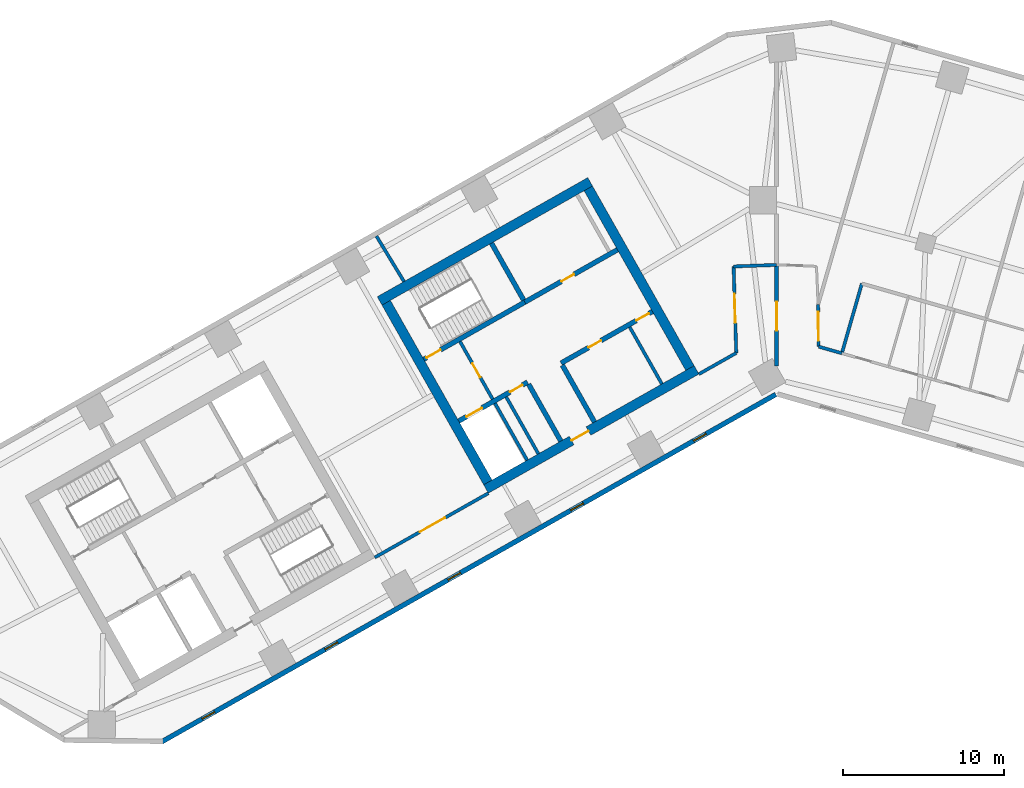
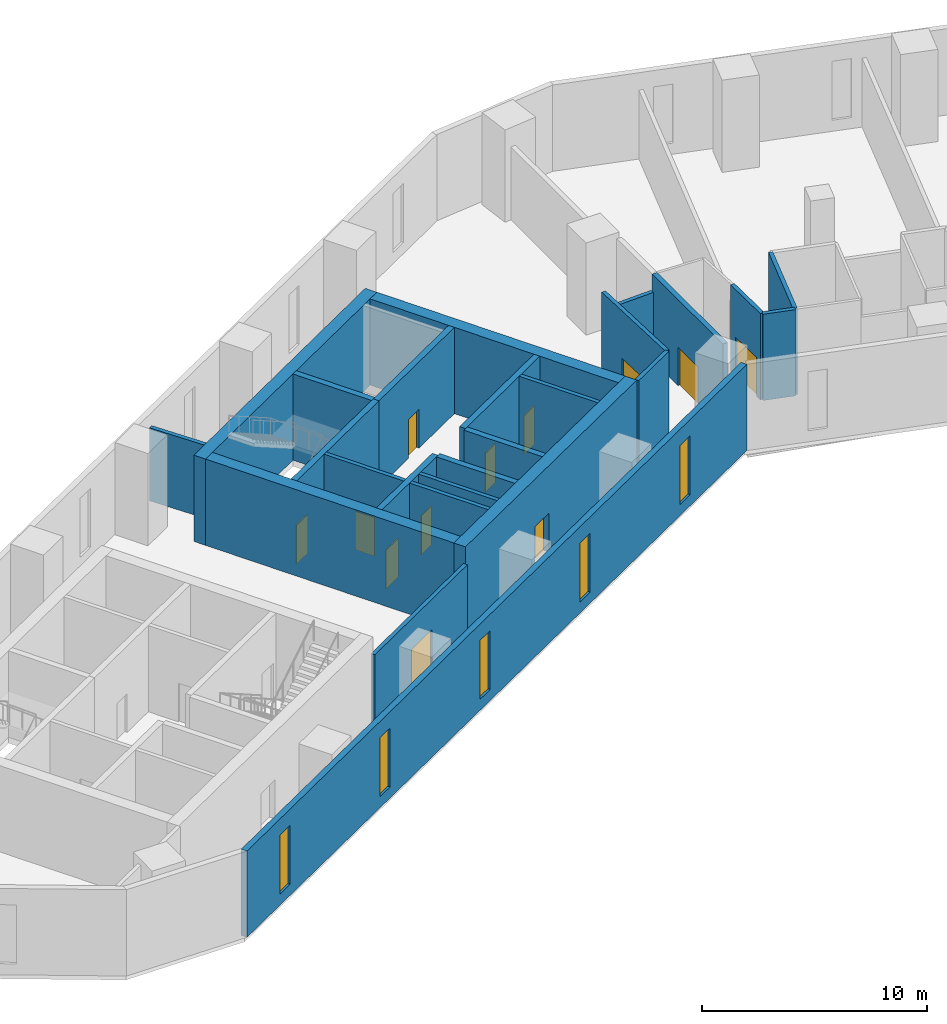
# One storey, part 4 of 10: 25 walls, 12 doors, 5 windows, 17 openings.
"""IFC4 building model written with IfcOpenShell, lengths in metres."""

from ifc_helpers import new_model, si_unit, direction, frame, frame_2d, origin, place, context, subcontext, project, spatial, rectangle, extrude, material, layer, layer_set, type_object, element, fill, save


model = new_model("IFC4")

# Units and contexts
model_context = context("Model", 3, precision=1e-05, world=origin(), true_north=direction((0.0, 1.0)))
body_context = subcontext(model_context, "Body", "Model", "MODEL_VIEW")
ifc_project = project(units=[si_unit("LENGTHUNIT", "METRE"), si_unit("AREAUNIT", "SQUARE_METRE"), si_unit("VOLUMEUNIT", "CUBIC_METRE"), si_unit("PLANEANGLEUNIT", "RADIAN"), si_unit("MASSUNIT", "GRAM", prefix="KILO")], contexts=[model_context])

# Site, building, storey
site_placement = place(None, origin())
site = spatial("IfcSite", under=ifc_project, at=site_placement, CompositionType="ELEMENT")
building_placement = place(site_placement, origin())
building = spatial("IfcBuilding", under=site, at=building_placement, Name="Binnacle Exchange Tower", CompositionType="ELEMENT")
storey_placement = place(building_placement, frame((0.0, 0.0, 71.5)))
storey = spatial("IfcBuildingStorey", under=building, at=storey_placement, Name="L14", CompositionType="ELEMENT", Elevation=71.5)

# Wall
ifc_material_1 = material(Name="Gypsum partition fire rated")
ifc_layer_1 = layer(ifc_material_1, 0.199951171875)
ifc_layer_set_1 = layer_set([ifc_layer_1], Name="Core partition 200")
wall_type_1 = type_object("IfcWallType", Name="Core partition 200", PredefinedType="PARTITIONING", material=ifc_layer_set_1)
wall_1_placement = place(storey_placement, frame((-9.11279296875, 52.14404296875, 0.0), z_axis=(0.0, 0.0, 1.0), x_axis=(0.492394910396, -0.870371904542, 0.0)))
element("IfcWall", 1, at=wall_1_placement, inside=storey, type_object=wall_type_1, Name="Core wall CRWC22", PredefinedType="PARTITIONING", context=body_context, shape_type="SweptSolid", body=[
    extrude(rectangle(XDim=4.0498046875, YDim=0.199951171875, at=frame_2d((2.02490234375, 0.0))), origin(), (0.0, 0.0, 1.0), 4.679931640625),
])

# Wall, openings, doors
ifc_material_2 = material(Name="Concrete C70/85", Category="concrete")
ifc_layer_2 = layer(ifc_material_2, 0.300048828125)
ifc_layer_set_2 = layer_set([ifc_layer_2], Name="Core wall - front 300")
wall_type_2 = type_object("IfcWallType", Name="Core wall - front 300", PredefinedType="SOLIDWALL", material=ifc_layer_set_2)
wall_2_placement = place(storey_placement, frame((-19.718017578125, 46.31640625, 0.0), z_axis=(0.0, 0.0, 1.0), x_axis=(0.870353963862, 0.492426621528, 0.0)))
wall_2 = element("IfcWall", 2, at=wall_2_placement, inside=storey, type_object=wall_type_2, Name="Core wall CRWC2", PredefinedType="SOLIDWALL", context=body_context, shape_type="SweptSolid", body=[
    extrude(rectangle(XDim=4.89990234375, YDim=0.300048828125, at=frame_2d((2.449951171875, 0.0))), origin(), (0.0, 0.0, 1.0), 4.679931640625),
])
opening_1_placement = place(wall_2_placement, frame((0.550048828125, 0.0, 0.0)))
opening_1 = element("IfcOpeningElement", 3, at=opening_1_placement, cuts=wall_2, Name="Opening LD14", PredefinedType="OPENING", context=body_context, shape_type="SweptSolid", body=[
    extrude(rectangle(XDim=1.10009765625, YDim=2.10009765625, at=frame_2d((0.550048828125, 1.050048828125))), frame((0.0, 0.159912109375, 0.0), z_axis=(0.0, -1.0, 0.0), x_axis=(1.0, 0.0, 0.0)), (0.0, 0.0, 1.0), 0.320068359375),
])
opening_2_placement = place(wall_2_placement, frame((3.64990234375, 0.0, 0.0)))
opening_2 = element("IfcOpeningElement", 4, at=opening_2_placement, cuts=wall_2, Name="Opening DC14", PredefinedType="OPENING", context=body_context, shape_type="SweptSolid", body=[
    extrude(rectangle(XDim=0.89990234375, YDim=2.10009765625, at=frame_2d((0.449951171875, 1.050048828125))), frame((0.0, 0.159912109375, 0.0), z_axis=(0.0, -1.0, 0.0), x_axis=(1.0, 0.0, 0.0)), (0.0, 0.0, 1.0), 0.320068359375),
])
ifc_material_3 = material(Name="Steel door leaf", Category="steel")
door_type_1 = type_object("IfcDoorType", Name="Fire door - lift landing 1100", OperationType="NOTDEFINED", PredefinedType="DOOR", material=ifc_material_3)
door_1_placement = place(opening_1_placement, origin())
door_1 = element("IfcDoor", 5, at=door_1_placement, inside=storey, type_object=door_type_1, Name="Landing door LD14 L14", OperationType="DOUBLE_DOOR_SLIDING", OverallHeight=2.10009765625, OverallWidth=1.10009765625, PredefinedType="DOOR", context=body_context, shape_type="SweptSolid", body=[
    extrude(rectangle(XDim=1.10009765625, YDim=2.10009765625, at=frame_2d((0.550048828125, 1.050048828125))), frame((0.0, 0.02490234375, 0.0), z_axis=(0.0, -1.0, 0.0), x_axis=(1.0, 0.0, 0.0)), (0.0, 0.0, 1.0), 0.050048828125),
])
fill(opening_1, door_1)
door_type_2 = type_object("IfcDoorType", Name="Fire door 900", OperationType="NOTDEFINED", PredefinedType="DOOR", material=ifc_material_3)
door_2_placement = place(opening_2_placement, frame((0.89990234375, 0.0, 0.0), z_axis=(0.0, 0.0, 1.0), x_axis=(-1.0, 0.0, 0.0)))
door_2 = element("IfcDoor", 6, at=door_2_placement, inside=storey, type_object=door_type_2, Name="Core room door COMMS RISER ROOM", OperationType="SINGLE_SWING_LEFT", OverallHeight=2.10009765625, OverallWidth=0.89990234375, PredefinedType="DOOR", context=body_context, shape_type="SweptSolid", body=[
    extrude(rectangle(XDim=0.89990234375, YDim=2.10009765625, at=frame_2d((0.449951171875, 1.050048828125))), frame((0.0, 0.02490234375, 0.0), z_axis=(0.0, -1.0, 0.0), x_axis=(1.0, 0.0, 0.0)), (0.0, 0.0, 1.0), 0.050048828125),
])
fill(opening_2, door_2)

wall_3_placement = place(storey_placement, frame((-13.364501953125, 49.910888671875, 0.0), z_axis=(0.0, 0.0, 1.0), x_axis=(0.870340995471, 0.49244954219, 0.0)))
wall_3 = element("IfcWall", 7, at=wall_3_placement, inside=storey, type_object=wall_type_2, Name="Core wall CRWC3", PredefinedType="SOLIDWALL", context=body_context, shape_type="SweptSolid", body=[
    extrude(rectangle(XDim=6.5, YDim=0.300048828125, at=frame_2d((3.25, 0.0))), origin(), (0.0, 0.0, 1.0), 4.679931640625),
])
opening_3_placement = place(wall_3_placement, frame((1.949951171875, 0.0, 0.0)))
opening_3 = element("IfcOpeningElement", 8, at=opening_3_placement, cuts=wall_3, Name="Opening DC18", PredefinedType="OPENING", context=body_context, shape_type="SweptSolid", body=[
    extrude(rectangle(XDim=0.89990234375, YDim=2.10009765625, at=frame_2d((0.449951171875, 1.050048828125))), frame((0.0, 0.159912109375, 0.0), z_axis=(0.0, -1.0, 0.0), x_axis=(1.0, 0.0, 0.0)), (0.0, 0.0, 1.0), 0.320068359375),
])
opening_4_placement = place(wall_3_placement, frame((5.35009765625, 0.0, 0.0)))
opening_4 = element("IfcOpeningElement", 9, at=opening_4_placement, cuts=wall_3, Name="Opening DC19", PredefinedType="OPENING", context=body_context, shape_type="SweptSolid", body=[
    extrude(rectangle(XDim=0.89990234375, YDim=2.10009765625, at=frame_2d((0.449951171875, 1.050048828125))), frame((0.0, 0.159912109375, 0.0), z_axis=(0.0, -1.0, 0.0), x_axis=(1.0, 0.0, 0.0)), (0.0, 0.0, 1.0), 0.320068359375),
])
door_3_placement = place(opening_3_placement, frame((0.89990234375, 0.0, 0.0), z_axis=(0.0, 0.0, 1.0), x_axis=(-1.0, 0.0, 0.0)))
door_3 = element("IfcDoor", 10, at=door_3_placement, inside=storey, type_object=door_type_2, Name="Core room door TELECOM RISER ROOM", OperationType="SINGLE_SWING_RIGHT", OverallHeight=2.10009765625, OverallWidth=0.89990234375, PredefinedType="DOOR", context=body_context, shape_type="SweptSolid", body=[
    extrude(rectangle(XDim=0.89990234375, YDim=2.10009765625, at=frame_2d((0.449951171875, 1.050048828125))), frame((0.0, 0.02490234375, 0.0), z_axis=(0.0, -1.0, 0.0), x_axis=(1.0, 0.0, 0.0)), (0.0, 0.0, 1.0), 0.050048828125),
])
fill(opening_3, door_3)
door_4_placement = place(opening_4_placement, frame((0.89990234375, 0.0, 0.0), z_axis=(0.0, 0.0, 1.0), x_axis=(-1.0, 0.0, 0.0)))
door_4 = element("IfcDoor", 11, at=door_4_placement, inside=storey, type_object=door_type_2, Name="Core room door IT STORE", OperationType="SINGLE_SWING_LEFT", OverallHeight=2.10009765625, OverallWidth=0.89990234375, PredefinedType="DOOR", context=body_context, shape_type="SweptSolid", body=[
    extrude(rectangle(XDim=0.89990234375, YDim=2.10009765625, at=frame_2d((0.449951171875, 1.050048828125))), frame((0.0, 0.02490234375, 0.0), z_axis=(0.0, -1.0, 0.0), x_axis=(1.0, 0.0, 0.0)), (0.0, 0.0, 1.0), 0.050048828125),
])
fill(opening_4, door_4)

# Wall, opening, door
wall_4_placement = place(storey_placement, frame((-15.6181640625, 53.69140625, 0.0), z_axis=(0.0, 0.0, 1.0), x_axis=(0.870356769198, 0.492421663121, 0.0)))
wall_4 = element("IfcWall", 12, at=wall_4_placement, inside=storey, type_object=wall_type_2, Name="Core wall CRWC5", PredefinedType="SOLIDWALL", context=body_context, shape_type="SweptSolid", body=[
    extrude(rectangle(XDim=6.60009765625, YDim=0.300048828125, at=frame_2d((3.300048828125, 0.0))), origin(), (0.0, 0.0, 1.0), 4.679931640625),
])
opening_5_placement = place(wall_4_placement, frame((2.60009765625, 0.0, 0.0)))
opening_5 = element("IfcOpeningElement", 13, at=opening_5_placement, cuts=wall_4, Name="Opening DC10", PredefinedType="OPENING", context=body_context, shape_type="SweptSolid", body=[
    extrude(rectangle(XDim=0.89990234375, YDim=2.10009765625, at=frame_2d((0.449951171875, 1.050048828125))), frame((0.0, 0.159912109375, 0.0), z_axis=(0.0, -1.0, 0.0), x_axis=(1.0, 0.0, 0.0)), (0.0, 0.0, 1.0), 0.320068359375),
])
door_5_placement = place(opening_5_placement, origin())
door_5 = element("IfcDoor", 14, at=door_5_placement, inside=storey, type_object=door_type_2, Name="Core room door WORKSHOP STORE", OperationType="SINGLE_SWING_LEFT", OverallHeight=2.10009765625, OverallWidth=0.89990234375, PredefinedType="DOOR", context=body_context, shape_type="SweptSolid", body=[
    extrude(rectangle(XDim=0.89990234375, YDim=2.10009765625, at=frame_2d((0.449951171875, 1.050048828125))), frame((0.0, 0.02490234375, 0.0), z_axis=(0.0, -1.0, 0.0), x_axis=(1.0, 0.0, 0.0)), (0.0, 0.0, 1.0), 0.050048828125),
])
fill(opening_5, door_5)

# Walls
for number, where, z_axis, x_axis, name in (
    (15, (-15.37939453125, 48.5986328125, 0.0), (0.0, 0.0, 1.0), (0.492394910396, -0.870371904542, 0.0), "Core wall CRWC13"),
    (16, (-13.29052734375, 49.780517578125, 0.0), (0.0, 0.0, 1.0), (0.492394910396, -0.870371904542, 0.0), "Core wall CRWC15"),
):
    element("IfcWall", number, at=place(storey_placement, frame(where, z_axis=z_axis, x_axis=x_axis)), inside=storey, type_object=wall_type_2, Name=name, PredefinedType="SOLIDWALL", context=body_context, shape_type="SweptSolid", body=[
        extrude(rectangle(XDim=4.0498046875, YDim=0.300048828125, at=frame_2d((2.02490234375, 0.0))), origin(), (0.0, 0.0, 1.0), 4.679931640625),
    ])

# Wall, opening, door
ifc_layer_3 = layer(ifc_material_2, 0.60009765625)
ifc_layer_set_3 = layer_set([ifc_layer_3], Name="Core wall - outer 600")
wall_type_3 = type_object("IfcWallType", Name="Core wall - outer 600", PredefinedType="SOLIDWALL", material=ifc_layer_set_3)
wall_5_placement = place(storey_placement, frame((-18.0244140625, 42.104248046875, 0.0), z_axis=(0.0, 0.0, 1.0), x_axis=(0.870360574057, 0.492414937962, 0.0)))
wall_5 = element("IfcWall", 17, at=wall_5_placement, inside=storey, type_object=wall_type_3, Name="Core wall CRWC1", PredefinedType="SOLIDWALL", context=body_context, shape_type="SweptSolid", body=[
    extrude(rectangle(XDim=15.0, YDim=0.60009765625, at=frame_2d((7.5, 0.0))), origin(), (0.0, 0.0, 1.0), 4.679931640625),
])
opening_6_placement = place(wall_5_placement, frame((6.10009765625, 0.0, 0.0)))
opening_6 = element("IfcOpeningElement", 18, at=opening_6_placement, cuts=wall_5, Name="Opening DC7", PredefinedType="OPENING", context=body_context, shape_type="SweptSolid", body=[
    extrude(rectangle(XDim=1.199951171875, YDim=2.10009765625, at=frame_2d((0.60009765625, 1.050048828125))), frame((0.0, 0.31005859375, 0.0), z_axis=(0.0, -1.0, 0.0), x_axis=(1.0, 0.0, 0.0)), (0.0, 0.0, 1.0), 0.6201171875),
])
door_type_3 = type_object("IfcDoorType", Name="Fire door 1200", OperationType="NOTDEFINED", PredefinedType="DOOR", material=ifc_material_3)
door_6_placement = place(opening_6_placement, frame((1.199951171875, 0.0, 0.0), z_axis=(0.0, 0.0, 1.0), x_axis=(-1.0, 0.0, 0.0)))
door_6 = element("IfcDoor", 19, at=door_6_placement, inside=storey, type_object=door_type_3, Name="Lift lobby entrance door core C", OperationType="SINGLE_SWING_RIGHT", OverallHeight=2.10009765625, OverallWidth=1.199951171875, PredefinedType="DOOR", context=body_context, shape_type="SweptSolid", body=[
    extrude(rectangle(XDim=1.199951171875, YDim=2.10009765625, at=frame_2d((0.60009765625, 1.050048828125))), frame((0.0, 0.02490234375, 0.0), z_axis=(0.0, -1.0, 0.0), x_axis=(1.0, 0.0, 0.0)), (0.0, 0.0, 1.0), 0.050048828125),
])
fill(opening_6, door_6)

# Walls
wall_6_placement = place(storey_placement, frame((-24.622802734375, 53.76708984375, 0.0), z_axis=(0.0, 0.0, 1.0), x_axis=(0.870356627484, 0.492421913601, 0.0)))
element("IfcWall", 20, at=wall_6_placement, inside=storey, type_object=wall_type_3, Name="Core wall CRWC6", PredefinedType="SOLIDWALL", context=body_context, shape_type="SweptSolid", body=[
    extrude(rectangle(XDim=14.999755859375, YDim=0.60009765625, at=frame_2d((7.5, 0.0))), origin(), (0.0, 0.0, 1.0), 4.679931640625),
])
wall_7_placement = place(storey_placement, frame((-24.214111328125, 53.653564453125, 0.0), z_axis=(0.0, 0.0, 1.0), x_axis=(0.492441221355, -0.870345703448, 0.0)))
element("IfcWall", 21, at=wall_7_placement, inside=storey, type_object=wall_type_3, Name="Core wall CRWC7", PredefinedType="SOLIDWALL", context=body_context, shape_type="SweptSolid", body=[
    extrude(rectangle(XDim=12.800048828125, YDim=0.60009765625, at=frame_2d((6.39990234375, 0.0))), origin(), (0.0, 0.0, 1.0), 4.679931640625),
])
wall_8_placement = place(storey_placement, frame((-11.680908203125, 60.744384765625, 0.0), z_axis=(0.0, 0.0, 1.0), x_axis=(0.492426772896, -0.870353878221, 0.0)))
element("IfcWall", 22, at=wall_8_placement, inside=storey, type_object=wall_type_3, Name="Core wall CRWC24", PredefinedType="SOLIDWALL", context=body_context, shape_type="SweptSolid", body=[
    extrude(rectangle(XDim=12.7998046875, YDim=0.60009765625, at=frame_2d((6.39990234375, 0.0))), origin(), (0.0, 0.0, 1.0), 4.679931640625),
])

# Wall, opening, door
ifc_layer_4 = layer(ifc_material_2, 0.300048828125)
ifc_layer_set_4 = layer_set([ifc_layer_4], Name="Core wall - stair 300")
wall_type_4 = type_object("IfcWallType", Name="Core wall - stair 300", PredefinedType="SOLIDWALL", material=ifc_layer_set_4)
wall_9_placement = place(storey_placement, frame((-21.884765625, 50.14599609375, 0.0), z_axis=(0.0, 0.0, 1.0), x_axis=(0.870359411463, 0.492416992881, 0.0)))
wall_9 = element("IfcWall", 23, at=wall_9_placement, inside=storey, type_object=wall_type_4, Name="Core wall CRWC4", PredefinedType="SOLIDWALL", context=body_context, shape_type="SweptSolid", body=[
    extrude(rectangle(XDim=7.199951171875, YDim=0.300048828125, at=frame_2d((3.60009765625, 0.0))), origin(), (0.0, 0.0, 1.0), 4.679931640625),
])
opening_7_placement = place(wall_9_placement, frame((0.199951171875, 0.0, 0.0)))
opening_7 = element("IfcOpeningElement", 24, at=opening_7_placement, cuts=wall_9, Name="Opening DC1", PredefinedType="OPENING", context=body_context, shape_type="SweptSolid", body=[
    extrude(rectangle(XDim=1.0, YDim=2.10009765625, at=frame_2d((0.5, 1.050048828125))), frame((0.0, 0.159912109375, 0.0), z_axis=(0.0, -1.0, 0.0), x_axis=(1.0, 0.0, 0.0)), (0.0, 0.0, 1.0), 0.320068359375),
])
door_type_4 = type_object("IfcDoorType", Name="Fire door 1000", OperationType="NOTDEFINED", PredefinedType="DOOR", material=ifc_material_3)
door_7_placement = place(opening_7_placement, origin())
door_7 = element("IfcDoor", 25, at=door_7_placement, inside=storey, type_object=door_type_4, Name="Stair door ST-C1", OperationType="SINGLE_SWING_LEFT", OverallHeight=2.10009765625, OverallWidth=1.0, PredefinedType="DOOR", context=body_context, shape_type="SweptSolid", body=[
    extrude(rectangle(XDim=1.0, YDim=2.10009765625, at=frame_2d((0.5, 1.050048828125))), frame((0.0, 0.02490234375, 0.0), z_axis=(0.0, -1.0, 0.0), x_axis=(1.0, 0.0, 0.0)), (0.0, 0.0, 1.0), 0.050048828125),
])
fill(opening_7, door_7)

# Wall
wall_10_placement = place(storey_placement, frame((-17.686279296875, 57.3466796875, 0.0), z_axis=(0.0, 0.0, 1.0), x_axis=(0.492420746998, -0.870357287513, 0.0)))
element("IfcWall", 26, at=wall_10_placement, inside=storey, type_object=wall_type_4, Name="Core wall CRWC14", PredefinedType="SOLIDWALL", context=body_context, shape_type="SweptSolid", body=[
    extrude(rectangle(XDim=4.049560546875, YDim=0.300048828125, at=frame_2d((2.02490234375, 0.0))), origin(), (0.0, 0.0, 1.0), 4.679931640625),
])

# Wall, openings, windows
ifc_material_4 = material(Name="Bronze aluminium cladding", Category="aluminium")
ifc_layer_5 = layer(ifc_material_4, 0.300048828125)
ifc_layer_set_5 = layer_set([ifc_layer_5], Name="External wall - spandrel 300")
wall_type_5 = type_object("IfcWallType", Name="External wall - spandrel 300", PredefinedType="STANDARD", material=ifc_layer_set_5)
wall_11_placement = place(storey_placement, frame((-0.0546875, 47.968994140625, 0.0), z_axis=(0.0, 0.0, 1.0), x_axis=(-0.870355730478, -0.492423499058, 0.0)))
wall_11 = element("IfcWall", 27, at=wall_11_placement, inside=storey, type_object=wall_type_5, Name="External wall EW-F07 L14", PredefinedType="STANDARD", context=body_context, shape_type="SweptSolid", body=[
    extrude(rectangle(XDim=43.750244140625, YDim=0.300048828125, at=frame_2d((21.875, 0.0))), origin(), (0.0, 0.0, 1.0), 4.679931640625),
])
opening_8_placement = place(wall_11_placement, frame((39.976806640625, 0.0, 0.60009765625)))
opening_8 = element("IfcOpeningElement", 28, at=opening_8_placement, cuts=wall_11, Name="Opening WS1", PredefinedType="OPENING", context=body_context, shape_type="SweptSolid", body=[
    extrude(rectangle(XDim=0.89990234375, YDim=3.199951171875, at=frame_2d((0.449951171875, 1.60009765625))), frame((0.0, 0.159912109375, 0.0), z_axis=(0.0, -1.0, 0.0), x_axis=(1.0, 0.0, 0.0)), (0.0, 0.0, 1.0), 0.320068359375),
])
opening_9_placement = place(wall_11_placement, frame((31.222412109375, 0.0, 0.60009765625)))
opening_9 = element("IfcOpeningElement", 29, at=opening_9_placement, cuts=wall_11, Name="Opening WS1", PredefinedType="OPENING", context=body_context, shape_type="SweptSolid", body=[
    extrude(rectangle(XDim=0.89990234375, YDim=3.199951171875, at=frame_2d((0.449951171875, 1.60009765625))), frame((0.0, 0.159912109375, 0.0), z_axis=(0.0, -1.0, 0.0), x_axis=(1.0, 0.0, 0.0)), (0.0, 0.0, 1.0), 0.320068359375),
])
opening_10_placement = place(wall_11_placement, frame((22.4677734375, 0.0, 0.60009765625)))
opening_10 = element("IfcOpeningElement", 30, at=opening_10_placement, cuts=wall_11, Name="Opening WS1", PredefinedType="OPENING", context=body_context, shape_type="SweptSolid", body=[
    extrude(rectangle(XDim=0.89990234375, YDim=3.199951171875, at=frame_2d((0.449951171875, 1.60009765625))), frame((0.0, 0.159912109375, 0.0), z_axis=(0.0, -1.0, 0.0), x_axis=(1.0, 0.0, 0.0)), (0.0, 0.0, 1.0), 0.320068359375),
])
opening_11_placement = place(wall_11_placement, frame((13.713134765625, 0.0, 0.60009765625)))
opening_11 = element("IfcOpeningElement", 31, at=opening_11_placement, cuts=wall_11, Name="Opening WS1", PredefinedType="OPENING", context=body_context, shape_type="SweptSolid", body=[
    extrude(rectangle(XDim=0.89990234375, YDim=3.199951171875, at=frame_2d((0.449951171875, 1.60009765625))), frame((0.0, 0.159912109375, 0.0), z_axis=(0.0, -1.0, 0.0), x_axis=(1.0, 0.0, 0.0)), (0.0, 0.0, 1.0), 0.320068359375),
])
opening_12_placement = place(wall_11_placement, frame((4.958740234375, 0.0, 0.60009765625)))
opening_12 = element("IfcOpeningElement", 32, at=opening_12_placement, cuts=wall_11, Name="Opening WS1", PredefinedType="OPENING", context=body_context, shape_type="SweptSolid", body=[
    extrude(rectangle(XDim=0.89990234375, YDim=3.199951171875, at=frame_2d((0.449951171875, 1.60009765625))), frame((0.0, 0.159912109375, 0.0), z_axis=(0.0, -1.0, 0.0), x_axis=(1.0, 0.0, 0.0)), (0.0, 0.0, 1.0), 0.320068359375),
])
ifc_material_5 = material(Name="Bronze anodised aluminium frame", Category="aluminium")
window_type = type_object("IfcWindowType", Name="WS1 WINDOW 900x3200", PartitioningType="SINGLE_PANEL", PredefinedType="WINDOW", material=ifc_material_5)
window_1_placement = place(opening_8_placement, origin())
window_1 = element("IfcWindow", 33, at=window_1_placement, inside=storey, type_object=window_type, Name="Window WS1 L14", OverallHeight=3.199951171875, OverallWidth=0.89990234375, PartitioningType="SINGLE_PANEL", PredefinedType="WINDOW", context=body_context, shape_type="SweptSolid", body=[
    extrude(rectangle(XDim=0.89990234375, YDim=3.199951171875, at=frame_2d((0.449951171875, 1.60009765625))), frame((0.0, 0.030029296875, 0.0), z_axis=(0.0, -1.0, 0.0), x_axis=(1.0, 0.0, 0.0)), (0.0, 0.0, 1.0), 0.06005859375),
])
fill(opening_8, window_1)
window_2_placement = place(opening_9_placement, origin())
window_2 = element("IfcWindow", 34, at=window_2_placement, inside=storey, type_object=window_type, Name="Window WS1 L14", OverallHeight=3.199951171875, OverallWidth=0.89990234375, PartitioningType="SINGLE_PANEL", PredefinedType="WINDOW", context=body_context, shape_type="SweptSolid", body=[
    extrude(rectangle(XDim=0.89990234375, YDim=3.199951171875, at=frame_2d((0.449951171875, 1.60009765625))), frame((0.0, 0.030029296875, 0.0), z_axis=(0.0, -1.0, 0.0), x_axis=(1.0, 0.0, 0.0)), (0.0, 0.0, 1.0), 0.06005859375),
])
fill(opening_9, window_2)
window_3_placement = place(opening_10_placement, origin())
window_3 = element("IfcWindow", 35, at=window_3_placement, inside=storey, type_object=window_type, Name="Window WS1 L14", OverallHeight=3.199951171875, OverallWidth=0.89990234375, PartitioningType="SINGLE_PANEL", PredefinedType="WINDOW", context=body_context, shape_type="SweptSolid", body=[
    extrude(rectangle(XDim=0.89990234375, YDim=3.199951171875, at=frame_2d((0.449951171875, 1.60009765625))), frame((0.0, 0.030029296875, 0.0), z_axis=(0.0, -1.0, 0.0), x_axis=(1.0, 0.0, 0.0)), (0.0, 0.0, 1.0), 0.06005859375),
])
fill(opening_10, window_3)
window_4_placement = place(opening_11_placement, origin())
window_4 = element("IfcWindow", 36, at=window_4_placement, inside=storey, type_object=window_type, Name="Window WS1 L14", OverallHeight=3.199951171875, OverallWidth=0.89990234375, PartitioningType="SINGLE_PANEL", PredefinedType="WINDOW", context=body_context, shape_type="SweptSolid", body=[
    extrude(rectangle(XDim=0.89990234375, YDim=3.199951171875, at=frame_2d((0.449951171875, 1.60009765625))), frame((0.0, 0.030029296875, 0.0), z_axis=(0.0, -1.0, 0.0), x_axis=(1.0, 0.0, 0.0)), (0.0, 0.0, 1.0), 0.06005859375),
])
fill(opening_11, window_4)
window_5_placement = place(opening_12_placement, origin())
window_5 = element("IfcWindow", 37, at=window_5_placement, inside=storey, type_object=window_type, Name="Window WS1 L14", OverallHeight=3.199951171875, OverallWidth=0.89990234375, PartitioningType="SINGLE_PANEL", PredefinedType="WINDOW", context=body_context, shape_type="SweptSolid", body=[
    extrude(rectangle(XDim=0.89990234375, YDim=3.199951171875, at=frame_2d((0.449951171875, 1.60009765625))), frame((0.0, 0.030029296875, 0.0), z_axis=(0.0, -1.0, 0.0), x_axis=(1.0, 0.0, 0.0)), (0.0, 0.0, 1.0), 0.06005859375),
])
fill(opening_12, window_5)

# Wall, opening, door
ifc_material_6 = material(Name="Masonry block wall", Category="masonry")
ifc_layer_6 = layer(ifc_material_6, 0.199951171875)
ifc_layer_set_6 = layer_set([ifc_layer_6], Name="Fire wall - block 200")
wall_type_6 = type_object("IfcWallType", Name="Fire wall - block 200", PredefinedType="PARTITIONING", material=ifc_layer_set_6)
wall_12_placement = place(storey_placement, frame((-24.9189453125, 37.85888671875, 0.0), z_axis=(0.0, 0.0, 1.0), x_axis=(0.870357635969, 0.492420131098, 0.0)))
wall_12 = element("IfcWall", 38, at=wall_12_placement, inside=storey, type_object=wall_type_6, Name="Partition W04", PredefinedType="PARTITIONING", context=body_context, shape_type="SweptSolid", body=[
    extrude(rectangle(XDim=8.0908203125, YDim=0.199951171875, at=frame_2d((4.04541015625, 0.0))), origin(), (0.0, 0.0, 1.0), 3.748046875),
])
opening_13_placement = place(wall_12_placement, frame((3.199951171875, 0.0, 0.0)))
opening_13 = element("IfcOpeningElement", 39, at=opening_13_placement, cuts=wall_12, Name="Opening DL14-02", PredefinedType="OPENING", context=body_context, shape_type="SweptSolid", body=[
    extrude(rectangle(XDim=1.800048828125, YDim=2.10009765625, at=frame_2d((0.89990234375, 1.050048828125))), frame((0.0, 0.10986328125, 0.0), z_axis=(0.0, -1.0, 0.0), x_axis=(1.0, 0.0, 0.0)), (0.0, 0.0, 1.0), 0.219970703125),
])
door_type_5 = type_object("IfcDoorType", Name="Fire door 1800", OperationType="NOTDEFINED", PredefinedType="DOOR", material=ifc_material_3)
door_8_placement = place(opening_13_placement, origin())
door_8 = element("IfcDoor", 40, at=door_8_placement, inside=storey, type_object=door_type_5, Name="Door DL14-02", OperationType="DOUBLE_DOOR_SINGLE_SWING", OverallHeight=2.10009765625, OverallWidth=1.800048828125, PredefinedType="DOOR", context=body_context, shape_type="SweptSolid", body=[
    extrude(rectangle(XDim=1.800048828125, YDim=2.10009765625, at=frame_2d((0.89990234375, 1.050048828125))), frame((0.0, 0.02490234375, 0.0), z_axis=(0.0, -1.0, 0.0), x_axis=(1.0, 0.0, 0.0)), (0.0, 0.0, 1.0), 0.050048828125),
])
fill(opening_13, door_8)

# Walls
wall_13_placement = place(storey_placement, frame((-24.820068359375, 57.784912109375, 0.0), z_axis=(0.0, 0.0, 1.0), x_axis=(0.519183013025, -0.854663090923, 0.0)))
element("IfcWall", 41, at=wall_13_placement, inside=storey, type_object=wall_type_6, Name="Partition W05", PredefinedType="PARTITIONING", context=body_context, shape_type="SweptSolid", body=[
    extrude(rectangle(XDim=3.2958984375, YDim=0.199951171875, at=frame_2d((1.64794921875, 0.0))), origin(), (0.0, 0.0, 1.0), 3.9599609375),
])
wall_14_placement = place(storey_placement, frame((-4.821044921875, 49.22998046875, 0.0), z_axis=(0.0, 0.0, 1.0), x_axis=(0.870371217631, 0.492396124598, 0.0)))
element("IfcWall", 42, at=wall_14_placement, inside=storey, type_object=wall_type_6, Name="Partition W06", PredefinedType="PARTITIONING", context=body_context, shape_type="SweptSolid", body=[
    extrude(rectangle(XDim=2.65869140625, YDim=0.199951171875, at=frame_2d((1.329345703125, 0.0))), origin(), (0.0, 0.0, 1.0), 4.679931640625),
])

# Wall, opening, door
wall_15_placement = place(storey_placement, frame((-2.669921875, 55.904052734375, 0.0), z_axis=(0.0, 0.0, 1.0), x_axis=(0.030338701418, -0.999539675649, 0.0)))
wall_15 = element("IfcWall", 43, at=wall_15_placement, inside=storey, type_object=wall_type_6, Name="Partition W07", PredefinedType="PARTITIONING", context=body_context, shape_type="SweptSolid", body=[
    extrude(rectangle(XDim=5.367431640625, YDim=0.199951171875, at=frame_2d((2.68359375, 0.0))), origin(), (0.0, 0.0, 1.0), 4.679931640625),
])
opening_14_placement = place(wall_15_placement, frame((1.699951171875, 0.0, 0.0)))
opening_14 = element("IfcOpeningElement", 44, at=opening_14_placement, cuts=wall_15, Name="Opening DL14-03", PredefinedType="OPENING", context=body_context, shape_type="SweptSolid", body=[
    extrude(rectangle(XDim=1.800048828125, YDim=2.10009765625, at=frame_2d((0.89990234375, 1.050048828125))), frame((0.0, 0.10986328125, 0.0), z_axis=(0.0, -1.0, 0.0), x_axis=(1.0, 0.0, 0.0)), (0.0, 0.0, 1.0), 0.219970703125),
])
door_9_placement = place(opening_14_placement, frame((1.800048828125, 0.0, 0.0), z_axis=(0.0, 0.0, 1.0), x_axis=(-1.0, 0.0, 0.0)))
door_9 = element("IfcDoor", 45, at=door_9_placement, inside=storey, type_object=door_type_5, Name="Door DL14-03", OperationType="DOUBLE_DOOR_SINGLE_SWING", OverallHeight=2.10009765625, OverallWidth=1.800048828125, PredefinedType="DOOR", context=body_context, shape_type="SweptSolid", body=[
    extrude(rectangle(XDim=1.800048828125, YDim=2.10009765625, at=frame_2d((0.89990234375, 1.050048828125))), frame((0.0, 0.02490234375, 0.0), z_axis=(0.0, -1.0, 0.0), x_axis=(1.0, 0.0, 0.0)), (0.0, 0.0, 1.0), 0.050048828125),
])
fill(opening_14, door_9)

# Wall
wall_16_placement = place(storey_placement, frame((-2.669921875, 55.904052734375, 0.0), z_axis=(0.0, 0.0, 1.0), x_axis=(0.999354913865, 0.03591317494, 0.0)))
element("IfcWall", 46, at=wall_16_placement, inside=storey, type_object=wall_type_6, Name="Partition W08", PredefinedType="PARTITIONING", context=body_context, shape_type="SweptSolid", body=[
    extrude(rectangle(XDim=2.671630859375, YDim=0.199951171875, at=frame_2d((1.3359375, 0.0))), origin(), (0.0, 0.0, 1.0), 3.741943359375),
])

# Wall, opening, door
wall_17_placement = place(storey_placement, frame((2.569091796875, 53.5419921875, 0.0), z_axis=(0.0, 0.0, 1.0), x_axis=(0.012252377394, -0.999924936807, 0.0)))
wall_17 = element("IfcWall", 47, at=wall_17_placement, inside=storey, type_object=wall_type_6, Name="Partition W14", PredefinedType="PARTITIONING", context=body_context, shape_type="SweptSolid", body=[
    extrude(rectangle(XDim=2.6103515625, YDim=0.199951171875, at=frame_2d((1.30517578125, 0.0))), origin(), (0.0, 0.0, 1.0), 4.679931640625),
])
opening_15_placement = place(wall_17_placement, frame((0.449951171875, 0.0, 0.0)))
opening_15 = element("IfcOpeningElement", 48, at=opening_15_placement, cuts=wall_17, Name="Opening DL14-09", PredefinedType="OPENING", context=body_context, shape_type="SweptSolid", body=[
    extrude(rectangle(XDim=1.800048828125, YDim=2.10009765625, at=frame_2d((0.89990234375, 1.050048828125))), frame((0.0, 0.10986328125, 0.0), z_axis=(0.0, -1.0, 0.0), x_axis=(1.0, 0.0, 0.0)), (0.0, 0.0, 1.0), 0.219970703125),
])
door_10_placement = place(opening_15_placement, origin())
door_10 = element("IfcDoor", 49, at=door_10_placement, inside=storey, type_object=door_type_5, Name="Door DL14-09", OperationType="DOUBLE_DOOR_SINGLE_SWING", OverallHeight=2.10009765625, OverallWidth=1.800048828125, PredefinedType="DOOR", context=body_context, shape_type="SweptSolid", body=[
    extrude(rectangle(XDim=1.800048828125, YDim=2.10009765625, at=frame_2d((0.89990234375, 1.050048828125))), frame((0.0, 0.02490234375, 0.0), z_axis=(0.0, -1.0, 0.0), x_axis=(1.0, 0.0, 0.0)), (0.0, 0.0, 1.0), 0.050048828125),
])
fill(opening_15, door_10)

# Walls
wall_18_placement = place(storey_placement, frame((2.60107421875, 50.931884765625, 0.0), z_axis=(0.0, 0.0, 1.0), x_axis=(0.961197773994, -0.27586018065, 0.0)))
element("IfcWall", 50, at=wall_18_placement, inside=storey, type_object=wall_type_6, Name="Partition W16", PredefinedType="PARTITIONING", context=body_context, shape_type="SweptSolid", body=[
    extrude(rectangle(XDim=1.5, YDim=0.199951171875, at=frame_2d((0.75, 0.0))), origin(), (0.0, 0.0, 1.0), 4.679931640625),
])
wall_19_placement = place(storey_placement, frame((4.04296875, 50.51806640625, 0.0), z_axis=(0.0, 0.0, 1.0), x_axis=(0.275745553681, 0.96123066411, 0.0)))
element("IfcWall", 51, at=wall_19_placement, inside=storey, type_object=wall_type_6, Name="Partition W17", PredefinedType="PARTITIONING", context=body_context, shape_type="SweptSolid", body=[
    extrude(rectangle(XDim=4.50048828125, YDim=0.199951171875, at=frame_2d((2.250244140625, 0.0))), origin(), (0.0, 0.0, 1.0), 4.679931640625),
])

# Wall, opening, door
ifc_material_7 = material(Name="Concrete fire wall C30/37", Category="concrete")
ifc_layer_7 = layer(ifc_material_7, 0.25)
ifc_layer_set_7 = layer_set([ifc_layer_7], Name="Fire wall - compartment 250")
wall_type_7 = type_object("IfcWallType", Name="Fire wall - compartment 250", PredefinedType="PARTITIONING", material=ifc_layer_set_7)
wall_20_placement = place(storey_placement, frame((0.0, 49.72607421875, 0.0), z_axis=(0.0, 0.0, 1.0), x_axis=(0.0, 1.0, 0.0)))
wall_20 = element("IfcWall", 52, at=wall_20_placement, inside=storey, type_object=wall_type_7, Name="Fire Wall W09", PredefinedType="PARTITIONING", context=body_context, shape_type="SweptSolid", body=[
    extrude(rectangle(XDim=6.27392578125, YDim=0.25, at=frame_2d((3.136962890625, 0.0))), origin(), (0.0, 0.0, 1.0), 4.679931640625),
])
opening_16_placement = place(wall_20_placement, frame((2.199951171875, 0.0, 0.0)))
opening_16 = element("IfcOpeningElement", 53, at=opening_16_placement, cuts=wall_20, Name="Opening DL14-14", PredefinedType="OPENING", context=body_context, shape_type="SweptSolid", body=[
    extrude(rectangle(XDim=1.800048828125, YDim=2.10009765625, at=frame_2d((0.89990234375, 1.050048828125))), frame((0.0, 0.135009765625, 0.0), z_axis=(0.0, -1.0, 0.0), x_axis=(1.0, 0.0, 0.0)), (0.0, 0.0, 1.0), 0.27001953125),
])
door_11_placement = place(opening_16_placement, origin())
door_11 = element("IfcDoor", 54, at=door_11_placement, inside=storey, type_object=door_type_5, Name="Door DL14-14", OperationType="DOUBLE_DOOR_SINGLE_SWING", OverallHeight=2.10009765625, OverallWidth=1.800048828125, PredefinedType="DOOR", context=body_context, shape_type="SweptSolid", body=[
    extrude(rectangle(XDim=1.800048828125, YDim=2.10009765625, at=frame_2d((0.89990234375, 1.050048828125))), frame((0.0, 0.02490234375, 0.0), z_axis=(0.0, -1.0, 0.0), x_axis=(1.0, 0.0, 0.0)), (0.0, 0.0, 1.0), 0.050048828125),
])
fill(opening_16, door_11)

ifc_layer_8 = layer(ifc_material_6, 0.199951171875)
ifc_layer_set_8 = layer_set([ifc_layer_8], Name="Fire wall - vestibule 200")
wall_type_8 = type_object("IfcWallType", Name="Fire wall - vestibule 200", PredefinedType="PARTITIONING", material=ifc_layer_set_8)
wall_21_placement = place(storey_placement, frame((-19.635009765625, 51.246337890625, 0.0), z_axis=(0.0, 0.0, 1.0), x_axis=(0.492408451753, -0.87036424366, 0.0)))
wall_21 = element("IfcWall", 55, at=wall_21_placement, inside=storey, type_object=wall_type_8, Name="Core wall CRWC10", PredefinedType="PARTITIONING", context=body_context, shape_type="SweptSolid", body=[
    extrude(rectangle(XDim=4.099853515625, YDim=0.199951171875, at=frame_2d((2.0498046875, 0.0))), origin(), (0.0, 0.0, 1.0), 4.679931640625),
])
opening_17_placement = place(wall_21_placement, frame((1.550048828125, 0.0, 0.0)))
opening_17 = element("IfcOpeningElement", 56, at=opening_17_placement, cuts=wall_21, Name="Opening DC3", PredefinedType="OPENING", context=body_context, shape_type="SweptSolid", body=[
    extrude(rectangle(XDim=1.0, YDim=2.10009765625, at=frame_2d((0.5, 1.050048828125))), frame((0.0, 0.10986328125, 0.0), z_axis=(0.0, -1.0, 0.0), x_axis=(1.0, 0.0, 0.0)), (0.0, 0.0, 1.0), 0.219970703125),
])
door_12_placement = place(opening_17_placement, frame((1.0, 0.0, 0.0), z_axis=(0.0, 0.0, 1.0), x_axis=(-1.0, 0.0, 0.0)))
door_12 = element("IfcDoor", 57, at=door_12_placement, inside=storey, type_object=door_type_4, Name="Vestibule door VEST-W", OperationType="SINGLE_SWING_RIGHT", OverallHeight=2.10009765625, OverallWidth=1.0, PredefinedType="DOOR", context=body_context, shape_type="SweptSolid", body=[
    extrude(rectangle(XDim=1.0, YDim=2.10009765625, at=frame_2d((0.5, 1.050048828125))), frame((0.0, 0.02490234375, 0.0), z_axis=(0.0, -1.0, 0.0), x_axis=(1.0, 0.0, 0.0)), (0.0, 0.0, 1.0), 0.050048828125),
])
fill(opening_17, door_12)

# Walls
ifc_layer_9 = layer(ifc_material_6, 0.199951171875)
ifc_layer_set_9 = layer_set([ifc_layer_9], Name="Riser wall 200")
wall_type_9 = type_object("IfcWallType", Name="Riser wall 200", PredefinedType="SOLIDWALL", material=ifc_layer_set_9)
for number, where, z_axis, x_axis, name in (
    (58, (-17.468505859375, 47.416748046875, 0.0), (0.0, 0.0, 1.0), (0.492440575896, -0.870346068648, 0.0), "Core wall CRWC8"),
    (59, (-16.772216796875, 47.810791015625, 0.0), (0.0, 0.0, 1.0), (0.492440575896, -0.870346068648, 0.0), "Core wall CRWC11"),
):
    element("IfcWall", number, at=place(storey_placement, frame(where, z_axis=z_axis, x_axis=x_axis)), inside=storey, type_object=wall_type_9, Name=name, PredefinedType="SOLIDWALL", context=body_context, shape_type="SweptSolid", body=[
        extrude(rectangle(XDim=4.050048828125, YDim=0.199951171875, at=frame_2d((2.02490234375, 0.0))), origin(), (0.0, 0.0, 1.0), 4.679931640625),
    ])

save(model, "model.ifc")
